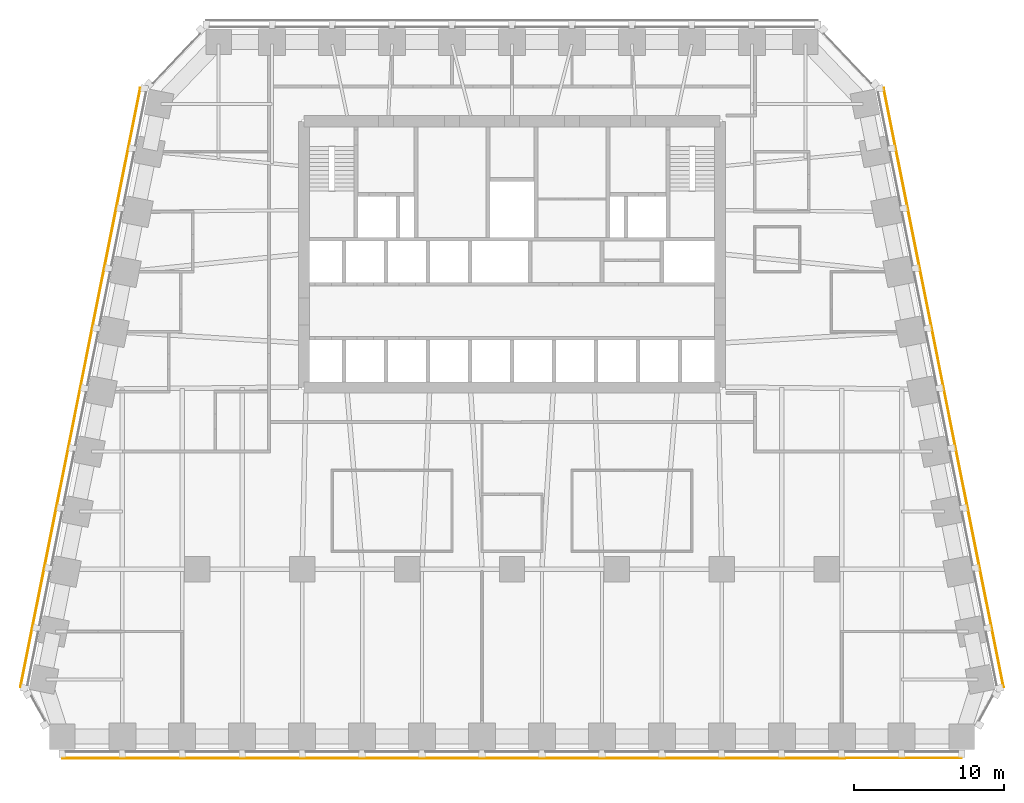
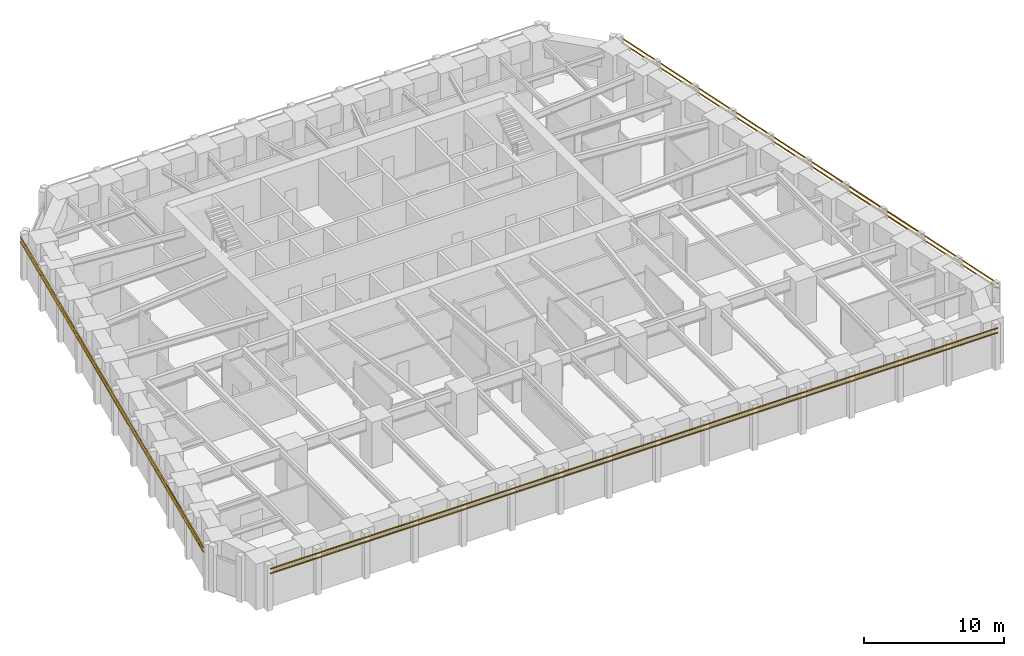
# One storey, part 9 of 10: 6 shading devices.
"""IFC4 building model written with IfcOpenShell, lengths in metres."""

from ifc_helpers import new_model, si_unit, direction, frame, origin, origin_2d, place, context, subcontext, project, spatial, rectangle, extrude, material, material_profile, profile_set, type_object, element, save


model = new_model("IFC4")

# Units and contexts
model_context = context("Model", 3, precision=1e-05, world=origin(), true_north=direction((0.0, 1.0)))
body_context = subcontext(model_context, "Body", "Model", "MODEL_VIEW")
ifc_project = project(units=[si_unit("LENGTHUNIT", "METRE"), si_unit("AREAUNIT", "SQUARE_METRE"), si_unit("VOLUMEUNIT", "CUBIC_METRE"), si_unit("PLANEANGLEUNIT", "RADIAN"), si_unit("MASSUNIT", "GRAM", prefix="KILO")], contexts=[model_context])

# Site, building, storey
site_placement = place(None, origin())
site = spatial("IfcSite", under=ifc_project, at=site_placement, CompositionType="ELEMENT")
building_placement = place(site_placement, origin())
building = spatial("IfcBuilding", under=site, at=building_placement, Name="Isbrekke Arena Tower", CompositionType="ELEMENT")
storey_placement = place(building_placement, frame((0.0, 0.0, 119.0)))
storey = spatial("IfcBuildingStorey", under=building, at=storey_placement, Name="L26", CompositionType="ELEMENT", Elevation=119.0)

# Shading devices
ifc_material = material(Name="Terracotta", Category="masonry")
ifc_material_profile = material_profile(ifc_material, rectangle(XDim=0.06005859375, YDim=0.06005859375, at=origin_2d()), Name="BAGUETTE 60X60")
ifc_profile_set = profile_set([ifc_material_profile], Name="Terracotta")
shading_device_type = type_object("IfcShadingDeviceType", Name="BG1 TERRACOTTA BAGUETTE 60 x 60", PredefinedType="USERDEFINED", material=ifc_profile_set)
for number, where, z_axis, x_axis, name in (
    (1, (-30.0, -18.60498046875, 3.280029296875), (1.0, 0.0, 0.0), (0.0, 1.0, 0.0), "BG1 terracotta baguette S1 L26"),
    (2, (-30.0, -18.60498046875, 3.679931640625), (1.0, 0.0, 0.0), (0.0, 1.0, 0.0), "BG1 terracotta baguette S2 L26"),
):
    element("IfcShadingDevice", number, at=place(storey_placement, frame(where, z_axis=z_axis, x_axis=x_axis)), inside=storey, type_object=shading_device_type, Name=name, ObjectType="TERRACOTTA BAGUETTE", PredefinedType="USERDEFINED", context=body_context, shape_type="SweptSolid", body=[
        extrude(rectangle(XDim=0.06005859375, YDim=0.06005859375, at=origin_2d()), origin(), (0.0, 0.0, 1.0), 60.0),
    ])
for number, where, z_axis, x_axis, name in (
    (3, (32.793212890625, -13.88134765625, 3.280029296875), (-0.196116135138, 0.980580675691, 0.0), (-0.980580675691, -0.196116135138, 0.0), "BG1 terracotta baguette E1 L26"),
    (4, (32.793212890625, -13.88134765625, 3.679931640625), (-0.196116135138, 0.980580675691, 0.0), (-0.980580675691, -0.196116135138, 0.0), "BG1 terracotta baguette E2 L26"),
    (5, (-24.793212890625, 26.11865234375, 3.280029296875), (-0.196116135138, -0.980580675691, 0.0), (0.980580675691, -0.196116135138, 0.0), "BG1 terracotta baguette W1 L26"),
    (6, (-24.793212890625, 26.11865234375, 3.679931640625), (-0.196116135138, -0.980580675691, 0.0), (0.980580675691, -0.196116135138, 0.0), "BG1 terracotta baguette W2 L26"),
):
    element("IfcShadingDevice", number, at=place(storey_placement, frame(where, z_axis=z_axis, x_axis=x_axis)), inside=storey, type_object=shading_device_type, Name=name, ObjectType="TERRACOTTA BAGUETTE", PredefinedType="USERDEFINED", context=body_context, shape_type="SweptSolid", body=[
        extrude(rectangle(XDim=0.06005859375, YDim=0.06005859375, at=origin_2d()), origin(), (0.0, 0.0, 1.0), 40.792236328125),
    ])

save(model, "model.ifc")
